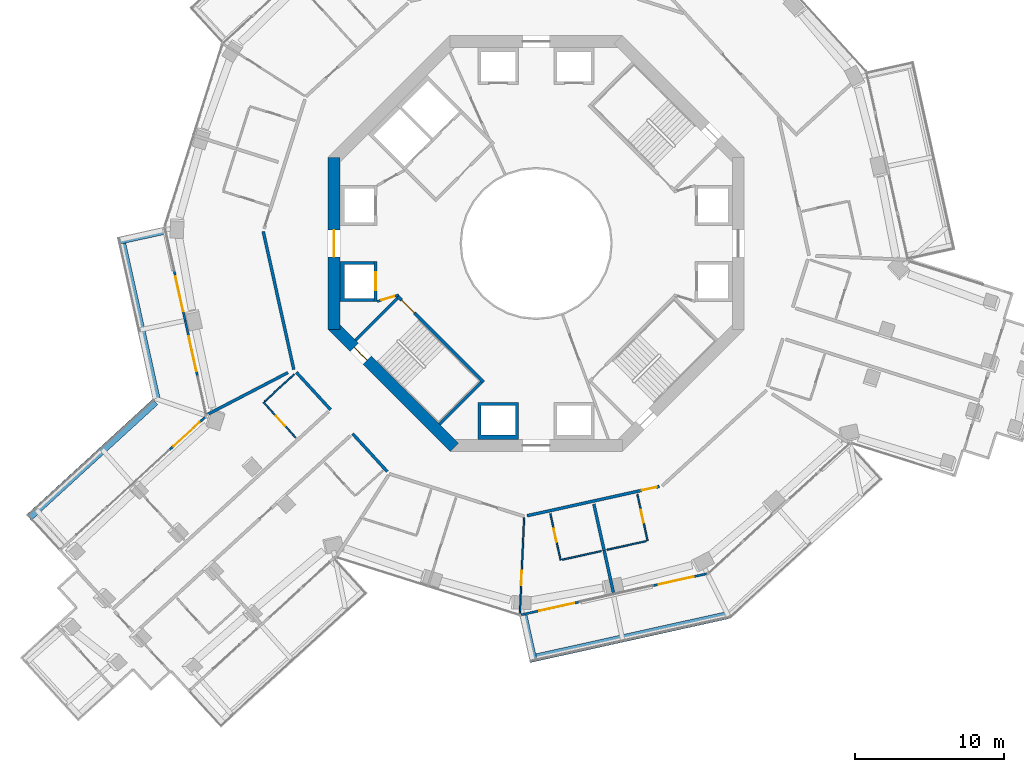
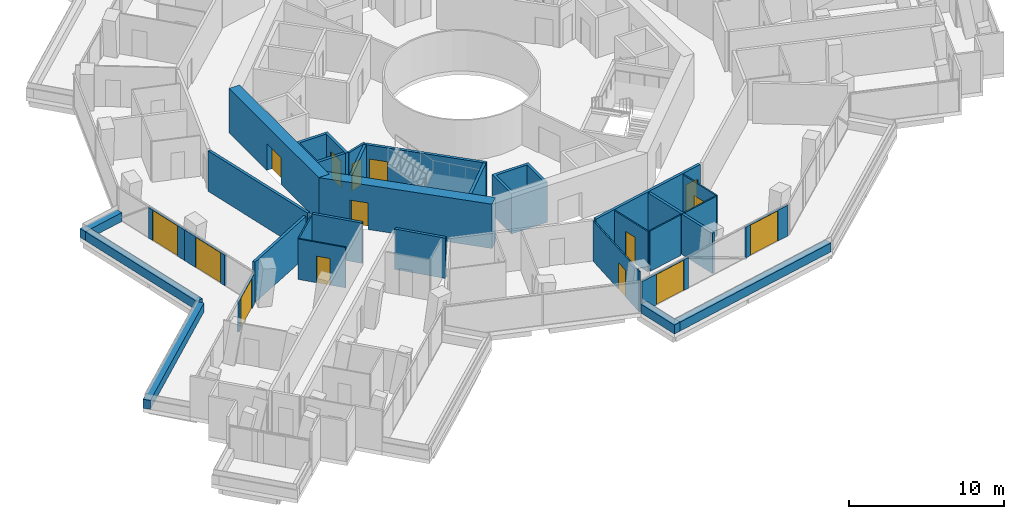
# One storey, part 17 of 24: 33 walls, 15 doors, 15 openings.
"""IFC4 building model written with IfcOpenShell, lengths in metres."""

from ifc_helpers import new_model, si_unit, direction, frame, frame_2d, origin, place, context, subcontext, project, spatial, polyline, rectangle, outline, extrude, material, layer, layer_set, type_object, element, fill, save


model = new_model("IFC4")

# Units and contexts
model_context = context("Model", 3, precision=1e-05, world=origin(), true_north=direction((0.0, 1.0)))
body_context = subcontext(model_context, "Body", "Model", "MODEL_VIEW")
ifc_project = project(units=[si_unit("LENGTHUNIT", "METRE"), si_unit("AREAUNIT", "SQUARE_METRE"), si_unit("VOLUMEUNIT", "CUBIC_METRE"), si_unit("PLANEANGLEUNIT", "RADIAN"), si_unit("MASSUNIT", "GRAM", prefix="KILO")], contexts=[model_context])

# Site, building, storey
site_placement = place(None, origin())
site = spatial("IfcSite", under=ifc_project, at=site_placement, CompositionType="ELEMENT")
building_placement = place(site_placement, origin())
building = spatial("IfcBuilding", under=site, at=building_placement, Name="Verdalira Terraces Hotel", CompositionType="ELEMENT")
storey_placement = place(building_placement, frame((0.0, 0.0, 86.0)))
storey = spatial("IfcBuildingStorey", under=building, at=storey_placement, Name="L19", CompositionType="ELEMENT", Elevation=86.0)

# Walls
ifc_material_1 = material(Name="Concrete C40", Category="concrete")
ifc_layer_1 = layer(ifc_material_1, 0.5)
ifc_layer_set_1 = layer_set([ifc_layer_1], Name="Balcony planter trough with tree")
wall_type_1 = type_object("IfcWallType", Name="Balcony planter trough with tree", PredefinedType="SOLIDWALL", material=ifc_layer_set_1)
wall_1_placement = place(storey_placement, frame((-25.036621, 0.859863, 0.0), z_axis=(0.0, 0.0, 1.0), x_axis=(-0.97638239, -0.216049597, 0.0)))
element("IfcWall", 1, at=wall_1_placement, inside=storey, type_object=wall_type_1, Name="Balcony planter", PredefinedType="SOLIDWALL", context=body_context, shape_type="SweptSolid", body=[
    extrude(rectangle(XDim=3.198975, YDim=0.5, at=frame_2d((1.599609, 0.0))), origin(), (0.0, 0.0, 1.0), 0.699951),
])
wall_2_placement = place(storey_placement, frame((-27.862061, -0.021484, 0.0), z_axis=(0.0, 0.0, 1.0), x_axis=(0.216102871, -0.9763706, 0.0)))
element("IfcWall", 2, at=wall_2_placement, inside=storey, type_object=wall_type_1, Name="Balcony planter", PredefinedType="SOLIDWALL", context=body_context, shape_type="SweptSolid", body=[
    extrude(rectangle(XDim=10.652344, YDim=0.5, at=frame_2d((5.326172, 0.0))), origin(), (0.0, 0.0, 1.0), 0.699951),
])
wall_3_placement = place(storey_placement, frame((-25.635254, -10.660645, 0.0), z_axis=(0.0, 0.0, 1.0), x_axis=(-0.737508785, -0.675337539, 0.0)))
element("IfcWall", 3, at=wall_3_placement, inside=storey, type_object=wall_type_1, Name="Balcony planter", PredefinedType="SOLIDWALL", context=body_context, shape_type="SweptSolid", body=[
    extrude(rectangle(XDim=11.54126, YDim=0.5, at=frame_2d((5.770508, 0.0))), origin(), (0.0, 0.0, 1.0), 0.699951),
])
wall_4_placement = place(storey_placement, frame((-0.859863, -25.036621, 0.0), z_axis=(0.0, 0.0, 1.0), x_axis=(0.216049597, -0.97638239, 0.0)))
element("IfcWall", 4, at=wall_4_placement, inside=storey, type_object=wall_type_1, Name="Balcony planter", PredefinedType="SOLIDWALL", context=body_context, shape_type="SweptSolid", body=[
    extrude(rectangle(XDim=3.198975, YDim=0.5, at=frame_2d((1.599609, 0.0))), origin(), (0.0, 0.0, 1.0), 0.699951),
])
wall_5_placement = place(storey_placement, frame((0.021484, -27.862061, 0.0), z_axis=(0.0, 0.0, 1.0), x_axis=(0.976369604, 0.216107373, 0.0)))
element("IfcWall", 5, at=wall_5_placement, inside=storey, type_object=wall_type_1, Name="Balcony planter", PredefinedType="SOLIDWALL", context=body_context, shape_type="SweptSolid", body=[
    extrude(rectangle(XDim=13.223389, YDim=0.5, at=frame_2d((6.611816, 0.0))), origin(), (0.0, 0.0, 1.0), 0.699951),
])
ifc_material_2 = material(Name="Moisture-resistant gypsum board partition")
ifc_layer_2 = layer(ifc_material_2, 0.10009765625)
ifc_layer_set_2 = layer_set([ifc_layer_2], Name="Bathroom partition 100 mm")
wall_type_2 = type_object("IfcWallType", Name="Bathroom partition 100 mm", PredefinedType="PARTITIONING", material=ifc_layer_set_2)
wall_6_placement = place(storey_placement, frame((-16.283447, -8.809082, 0.0), z_axis=(0.0, 0.0, 1.0), x_axis=(-0.737570623, -0.675270003, 0.0)))
element("IfcWall", 6, at=wall_6_placement, inside=storey, type_object=wall_type_2, Name="Bathroom partition", PredefinedType="PARTITIONING", context=body_context, shape_type="SweptSolid", body=[
    extrude(rectangle(XDim=2.699951, YDim=0.100098, at=frame_2d((1.350098, 0.0))), origin(), (0.0, 0.0, 1.0), 3.189941),
])

# Wall, opening, door
wall_7_placement = place(storey_placement, frame((-18.348389, -10.699951, 0.0), z_axis=(0.0, 0.0, 1.0), x_axis=(0.67529265, -0.737549887, 0.0)))
wall_7 = element("IfcWall", 7, at=wall_7_placement, inside=storey, type_object=wall_type_2, Name="Bathroom partition", PredefinedType="PARTITIONING", context=body_context, shape_type="SweptSolid", body=[
    extrude(rectangle(XDim=3.199951, YDim=0.100098, at=frame_2d((1.600098, 0.0))), origin(), (0.0, 0.0, 1.0), 3.189941),
])
opening_1_placement = place(wall_7_placement, frame((1.25, 0.0, 0.0)))
opening_1 = element("IfcOpeningElement", 8, at=opening_1_placement, cuts=wall_7, Name="Opening L19-115", PredefinedType="OPENING", context=body_context, shape_type="SweptSolid", body=[
    extrude(rectangle(XDim=0.899902, YDim=2.100098, at=frame_2d((0.449951, 1.050049))), frame((0.0, 0.060059, 0.0), z_axis=(0.0, -1.0, 0.0), x_axis=(1.0, 0.0, 0.0)), (0.0, 0.0, 1.0), 0.120117),
])
ifc_material_3 = material(Name="Timber door", Category="wood")
door_type_1 = type_object("IfcDoorType", Name="Bathroom door 900 x 2100", OperationType="NOTDEFINED", PredefinedType="DOOR", material=ifc_material_3)
door_1_placement = place(opening_1_placement, origin())
door_1 = element("IfcDoor", 9, at=door_1_placement, inside=storey, type_object=door_type_1, Name="Bathroom door 1905", OperationType="SINGLE_SWING_LEFT", OverallHeight=2.10009765625, OverallWidth=0.89990234375, PredefinedType="DOOR", context=body_context, shape_type="SweptSolid", body=[
    extrude(rectangle(XDim=0.899902, YDim=2.100098, at=frame_2d((0.449951, 1.050049))), frame((0.0, 0.024902, 0.0), z_axis=(0.0, -1.0, 0.0), x_axis=(1.0, 0.0, 0.0)), (0.0, 0.0, 1.0), 0.050049),
])
fill(opening_1, door_1)

wall_8_placement = place(storey_placement, frame((-0.812988, -18.470459, 0.0), z_axis=(0.0, 0.0, 1.0), x_axis=(-0.043959125, -0.99903333, 0.0)))
wall_8 = element("IfcWall", 10, at=wall_8_placement, inside=storey, type_object=wall_type_2, Name="Bathroom partition", PredefinedType="PARTITIONING", context=body_context, shape_type="SweptSolid", body=[
    extrude(rectangle(XDim=6.47583, YDim=0.100098, at=frame_2d((3.237793, 0.0))), origin(), (0.0, 0.0, 1.0), 3.189941),
])
opening_2_placement = place(wall_8_placement, frame((3.550049, 0.0, 0.0)))
opening_2 = element("IfcOpeningElement", 11, at=opening_2_placement, cuts=wall_8, Name="Opening L19-123", PredefinedType="OPENING", context=body_context, shape_type="SweptSolid", body=[
    extrude(rectangle(XDim=1.0, YDim=2.100098, at=frame_2d((0.5, 1.050049))), frame((0.0, 0.060059, 0.0), z_axis=(0.0, -1.0, 0.0), x_axis=(1.0, 0.0, 0.0)), (0.0, 0.0, 1.0), 0.120117),
])
ifc_material_4 = material(Name="Timber door", Category="wood")
door_type_2 = type_object("IfcDoorType", Name="Suite internal door 1000 x 2100", OperationType="NOTDEFINED", PredefinedType="DOOR", material=ifc_material_4)
door_2_placement = place(opening_2_placement, origin())
door_2 = element("IfcDoor", 12, at=door_2_placement, inside=storey, type_object=door_type_2, Name="Suite internal door 1908", OperationType="SINGLE_SWING_LEFT", OverallHeight=2.10009765625, OverallWidth=1.0, PredefinedType="DOOR", context=body_context, shape_type="SweptSolid", body=[
    extrude(rectangle(XDim=1.0, YDim=2.100098, at=frame_2d((0.5, 1.050049))), frame((0.0, 0.024902, 0.0), z_axis=(0.0, -1.0, 0.0), x_axis=(1.0, 0.0, 0.0)), (0.0, 0.0, 1.0), 0.050049),
])
fill(opening_2, door_2)

wall_9_placement = place(storey_placement, frame((0.95166, -18.182373, 0.0), z_axis=(0.0, 0.0, 1.0), x_axis=(0.216146782, -0.97636088, 0.0)))
wall_9 = element("IfcWall", 13, at=wall_9_placement, inside=storey, type_object=wall_type_2, Name="Bathroom partition", PredefinedType="PARTITIONING", context=body_context, shape_type="SweptSolid", body=[
    extrude(rectangle(XDim=3.199951, YDim=0.100098, at=frame_2d((1.600098, 0.0))), origin(), (0.0, 0.0, 1.0), 3.189941),
])
opening_3_placement = place(wall_9_placement, frame((1.050049, 0.0, 0.0)))
opening_3 = element("IfcOpeningElement", 14, at=opening_3_placement, cuts=wall_9, Name="Opening L19-125", PredefinedType="OPENING", context=body_context, shape_type="SweptSolid", body=[
    extrude(rectangle(XDim=0.899902, YDim=2.100098, at=frame_2d((0.449951, 1.050049))), frame((0.0, 0.060059, 0.0), z_axis=(0.0, -1.0, 0.0), x_axis=(1.0, 0.0, 0.0)), (0.0, 0.0, 1.0), 0.120117),
])
door_3_placement = place(opening_3_placement, origin())
door_3 = element("IfcDoor", 15, at=door_3_placement, inside=storey, type_object=door_type_1, Name="Bathroom door 1908", OperationType="SINGLE_SWING_RIGHT", OverallHeight=2.10009765625, OverallWidth=0.89990234375, PredefinedType="DOOR", context=body_context, shape_type="SweptSolid", body=[
    extrude(rectangle(XDim=0.899902, YDim=2.100098, at=frame_2d((0.449951, 1.050049))), frame((0.0, 0.024902, 0.0), z_axis=(0.0, -1.0, 0.0), x_axis=(1.0, 0.0, 0.0)), (0.0, 0.0, 1.0), 0.050049),
])
fill(opening_3, door_3)

# Walls
for number, where, z_axis, x_axis, name in (
    (16, (1.740723, -21.285156, 0.0), (0.0, 0.0, 1.0), (0.976369683, 0.216107015, 0.0), "Bathroom partition"),
    (17, (7.403809, -20.031738, 0.0), (0.0, 0.0, 1.0), (-0.976369683, -0.216107015, 0.0), "Bathroom partition"),
):
    element("IfcWall", number, at=place(storey_placement, frame(where, z_axis=z_axis, x_axis=x_axis)), inside=storey, type_object=wall_type_2, Name=name, PredefinedType="PARTITIONING", context=body_context, shape_type="SweptSolid", body=[
        extrude(rectangle(XDim=2.699951, YDim=0.100098, at=frame_2d((1.350098, 0.0))), origin(), (0.0, 0.0, 1.0), 3.189941),
    ])

# Wall, opening, door
wall_10_placement = place(storey_placement, frame((7.501465, -20.01001, 0.0), z_axis=(0.0, 0.0, 1.0), x_axis=(-0.216146782, 0.97636088, 0.0)))
wall_10 = element("IfcWall", 18, at=wall_10_placement, inside=storey, type_object=wall_type_2, Name="Bathroom partition", PredefinedType="PARTITIONING", context=body_context, shape_type="SweptSolid", body=[
    extrude(rectangle(XDim=3.199951, YDim=0.100098, at=frame_2d((1.600098, 0.0))), origin(), (0.0, 0.0, 1.0), 3.189941),
])
opening_4_placement = place(wall_10_placement, frame((1.25, 0.0, 0.0)))
opening_4 = element("IfcOpeningElement", 19, at=opening_4_placement, cuts=wall_10, Name="Opening L19-127", PredefinedType="OPENING", context=body_context, shape_type="SweptSolid", body=[
    extrude(rectangle(XDim=0.899902, YDim=2.100098, at=frame_2d((0.449951, 1.050049))), frame((0.0, 0.060059, 0.0), z_axis=(0.0, -1.0, 0.0), x_axis=(1.0, 0.0, 0.0)), (0.0, 0.0, 1.0), 0.120117),
])
door_4_placement = place(opening_4_placement, origin())
door_4 = element("IfcDoor", 20, at=door_4_placement, inside=storey, type_object=door_type_1, Name="Bathroom door 1909", OperationType="SINGLE_SWING_LEFT", OverallHeight=2.10009765625, OverallWidth=0.89990234375, PredefinedType="DOOR", context=body_context, shape_type="SweptSolid", body=[
    extrude(rectangle(XDim=0.899902, YDim=2.100098, at=frame_2d((0.449951, 1.050049))), frame((0.0, 0.024902, 0.0), z_axis=(0.0, -1.0, 0.0), x_axis=(1.0, 0.0, 0.0)), (0.0, 0.0, 1.0), 0.050049),
])
fill(opening_4, door_4)

# Wall
ifc_material_5 = material(Name="Concrete C50", Category="concrete")
ifc_layer_3 = layer(ifc_material_5, 0.199951171875)
ifc_layer_set_3 = layer_set([ifc_layer_3], Name="Core RC wall 200 C50")
wall_type_3 = type_object("IfcWallType", Name="Core RC wall 200 C50", PredefinedType="SOLIDWALL", material=ifc_layer_set_3)
wall_11_placement = place(storey_placement, origin())
element("IfcWall", 21, at=wall_11_placement, inside=storey, type_object=wall_type_3, Name="L19 shaft wall W2", PredefinedType="SOLIDWALL", context=body_context, shape_type="SweptSolid", body=[
    extrude(outline(polyline([(-13.199951, -3.899902), (-13.199951, -1.199951), (-10.899902, -1.199951), (-10.899902, -1.399902), (-12.899902, -1.399902), (-12.899902, -3.699951), (-10.899902, -3.699951), (-10.899902, -3.899902), (-13.199951, -3.899902)])), origin(), (0.0, 0.0, 1.0), 3.189941),
])

# Wall, opening, door
wall_12_placement = place(storey_placement, frame((-10.800049, -1.199951, 0.0), z_axis=(0.0, 0.0, 1.0), x_axis=(0.0, -1.0, 0.0)))
wall_12 = element("IfcWall", 22, at=wall_12_placement, inside=storey, type_object=wall_type_3, Name="L19 shaft front wall W2", PredefinedType="SOLIDWALL", context=body_context, shape_type="SweptSolid", body=[
    extrude(rectangle(XDim=2.699951, YDim=0.199951, at=frame_2d((1.350098, 0.0))), origin(), (0.0, 0.0, 1.0), 3.189941),
])
opening_5_placement = place(wall_12_placement, frame((0.75, 0.0, 0.0)))
opening_5 = element("IfcOpeningElement", 23, at=opening_5_placement, cuts=wall_12, Name="Opening LD-L19-806", PredefinedType="OPENING", context=body_context, shape_type="SweptSolid", body=[
    extrude(rectangle(XDim=1.199951, YDim=2.100098, at=frame_2d((0.600098, 1.050049))), frame((0.0, 0.109863, 0.0), z_axis=(0.0, -1.0, 0.0), x_axis=(1.0, 0.0, 0.0)), (0.0, 0.0, 1.0), 0.219971),
])
ifc_material_6 = material(Name="Stainless steel", Category="steel")
door_type_3 = type_object("IfcDoorType", Name="Landing door 1200 x 2100", OperationType="NOTDEFINED", PredefinedType="DOOR", material=ifc_material_6)
door_5_placement = place(opening_5_placement, origin())
door_5 = element("IfcDoor", 24, at=door_5_placement, inside=storey, type_object=door_type_3, Name="Lift landing door LR6 L19", OperationType="DOUBLE_DOOR_SLIDING", OverallHeight=2.10009765625, OverallWidth=1.199951171875, PredefinedType="DOOR", context=body_context, shape_type="SweptSolid", body=[
    extrude(rectangle(XDim=1.199951, YDim=2.100098, at=frame_2d((0.600098, 1.050049))), frame((0.0, 0.024902, 0.0), z_axis=(0.0, -1.0, 0.0), x_axis=(1.0, 0.0, 0.0)), (0.0, 0.0, 1.0), 0.050049),
])
fill(opening_5, door_5)

# Wall
wall_13_placement = place(storey_placement, origin())
element("IfcWall", 25, at=wall_13_placement, inside=storey, type_object=wall_type_3, Name="L19 shaft wall S1", PredefinedType="SOLIDWALL", context=body_context, shape_type="SweptSolid", body=[
    extrude(outline(polyline([(-1.199951, -13.199951), (-3.899902, -13.199951), (-3.899902, -10.699951), (-1.199951, -10.699951), (-1.199951, -13.199951)]), holes=[polyline([(-3.699951, -10.899902), (-3.699951, -12.899902), (-1.399902, -12.899902), (-1.399902, -10.899902), (-3.699951, -10.899902)])]), origin(), (0.0, 0.0, 1.0), 3.189941),
])

# Wall, opening, door
wall_14_placement = place(storey_placement, frame((-3.5354, -9.33374, 0.0), z_axis=(0.0, 0.0, 1.0), x_axis=(-0.707106781, 0.707106781, 0.0)))
wall_14 = element("IfcWall", 26, at=wall_14_placement, inside=storey, type_object=wall_type_3, Name="L19 stair ST2 front wall", PredefinedType="SOLIDWALL", context=body_context, shape_type="SweptSolid", body=[
    extrude(rectangle(XDim=8.200195, YDim=0.199951, at=frame_2d((4.100098, 0.0))), origin(), (0.0, 0.0, 1.0), 3.189941),
])
opening_6_placement = place(wall_14_placement, frame((6.600098, 0.0, 0.0)))
opening_6 = element("IfcOpeningElement", 27, at=opening_6_placement, cuts=wall_14, Name="Opening L19-810", PredefinedType="OPENING", context=body_context, shape_type="SweptSolid", body=[
    extrude(rectangle(XDim=1.199951, YDim=2.100098, at=frame_2d((0.600098, 1.050049))), frame((0.0, 0.109863, 0.0), z_axis=(0.0, -1.0, 0.0), x_axis=(1.0, 0.0, 0.0)), (0.0, 0.0, 1.0), 0.219971),
])
ifc_material_7 = material(Name="Steel fire door", Category="steel")
door_type_4 = type_object("IfcDoorType", Name="Stair door 1200 x 2100", OperationType="NOTDEFINED", PredefinedType="DOOR", material=ifc_material_7)
door_6_placement = place(opening_6_placement, origin())
door_6 = element("IfcDoor", 28, at=door_6_placement, inside=storey, type_object=door_type_4, Name="Stair door ST2 L19", OperationType="SINGLE_SWING_RIGHT", OverallHeight=2.10009765625, OverallWidth=1.199951171875, PredefinedType="DOOR", context=body_context, shape_type="SweptSolid", body=[
    extrude(rectangle(XDim=1.199951, YDim=2.100098, at=frame_2d((0.600098, 1.050049))), frame((0.0, 0.024902, 0.0), z_axis=(0.0, -1.0, 0.0), x_axis=(1.0, 0.0, 0.0)), (0.0, 0.0, 1.0), 0.050049),
])
fill(opening_6, door_6)

# Walls
for number, where, z_axis, x_axis, name in (
    (29, (-9.33374, -3.677002, 0.0), (0.0, 0.0, 1.0), (-0.707106781, -0.707106781, 0.0), "L19 stair ST2 end wall 1"),
    (30, (-3.677002, -9.33374, 0.0), (0.0, 0.0, 1.0), (-0.707106781, -0.707106781, 0.0), "L19 stair ST2 end wall 2"),
):
    element("IfcWall", number, at=place(storey_placement, frame(where, z_axis=z_axis, x_axis=x_axis)), inside=storey, type_object=wall_type_3, Name=name, PredefinedType="SOLIDWALL", context=body_context, shape_type="SweptSolid", body=[
        extrude(rectangle(XDim=4.0, YDim=0.199951, at=frame_2d((2.0, 0.0))), origin(), (0.0, 0.0, 1.0), 3.189941),
    ])

# Wall, opening, door
ifc_material_8 = material(Name="Gypsum board partition")
ifc_layer_4 = layer(ifc_material_8, 0.14990234375)
ifc_layer_set_4 = layer_set([ifc_layer_4], Name="Core partition 150 mm")
wall_type_4 = type_object("IfcWallType", Name="Core partition 150 mm", PredefinedType="PARTITIONING", material=ifc_layer_set_4)
wall_15_placement = place(storey_placement, frame((-10.699951, -3.899902, 0.0), z_axis=(0.0, 0.0, 1.0), x_axis=(0.957084567, 0.289808785, 0.0)))
wall_15 = element("IfcWall", 31, at=wall_15_placement, inside=storey, type_object=wall_type_4, Name="Room partition L19", PredefinedType="PARTITIONING", context=body_context, shape_type="SweptSolid", body=[
    extrude(rectangle(XDim=1.501221, YDim=0.149902, at=frame_2d((0.750488, 0.0))), origin(), (0.0, 0.0, 1.0), 3.189941),
])
opening_7_placement = place(wall_15_placement, frame((0.300781, 0.0, 0.0)))
opening_7 = element("IfcOpeningElement", 32, at=opening_7_placement, cuts=wall_15, Name="Opening L19-822", PredefinedType="OPENING", context=body_context, shape_type="SweptSolid", body=[
    extrude(rectangle(XDim=0.899902, YDim=2.100098, at=frame_2d((0.449951, 1.050049))), frame((0.0, 0.084961, 0.0), z_axis=(0.0, -1.0, 0.0), x_axis=(1.0, 0.0, 0.0)), (0.0, 0.0, 1.0), 0.169922),
])
ifc_material_9 = material(Name="Steel fire door", Category="steel")
door_type_5 = type_object("IfcDoorType", Name="Core room door 900 x 2100", OperationType="NOTDEFINED", PredefinedType="DOOR", material=ifc_material_9)
door_7_placement = place(opening_7_placement, origin())
door_7 = element("IfcDoor", 33, at=door_7_placement, inside=storey, type_object=door_type_5, Name="Door L19 room4", OperationType="SINGLE_SWING_LEFT", OverallHeight=2.10009765625, OverallWidth=0.89990234375, PredefinedType="DOOR", context=body_context, shape_type="SweptSolid", body=[
    extrude(rectangle(XDim=0.899902, YDim=2.100098, at=frame_2d((0.449951, 1.050049))), frame((0.0, 0.024902, 0.0), z_axis=(0.0, -1.0, 0.0), x_axis=(1.0, 0.0, 0.0)), (0.0, 0.0, 1.0), 0.050049),
])
fill(opening_7, door_7)

ifc_material_10 = material(Name="Concrete C70", Category="concrete")
ifc_layer_5 = layer(ifc_material_10, 0.800048828125)
ifc_layer_set_5 = layer_set([ifc_layer_5], Name="Core wall 800 C70")
wall_type_5 = type_object("IfcWallType", Name="Core wall 800 C70", PredefinedType="SHEAR", material=ifc_layer_set_5)
wall_16_placement = place(storey_placement, frame((-13.600098, 5.799072, 0.0), z_axis=(0.0, 0.0, 1.0), x_axis=(0.0, -1.0, 0.0)))
wall_16 = element("IfcWall", 34, at=wall_16_placement, inside=storey, type_object=wall_type_5, Name="Core wall CW-L19-5", PredefinedType="SHEAR", context=body_context, shape_type="SweptSolid", body=[
    extrude(rectangle(XDim=11.598145, YDim=0.800049, at=frame_2d((5.799072, 0.0))), origin(), (0.0, 0.0, 1.0), 3.5),
])
opening_8_placement = place(wall_16_placement, frame((4.898926, 0.0, 0.0)))
opening_8 = element("IfcOpeningElement", 35, at=opening_8_placement, cuts=wall_16, Name="Opening L19-814", PredefinedType="OPENING", context=body_context, shape_type="SweptSolid", body=[
    extrude(rectangle(XDim=1.800049, YDim=2.100098, at=frame_2d((0.899902, 1.050049))), frame((0.0, 0.409912, 0.0), z_axis=(0.0, -1.0, 0.0), x_axis=(1.0, 0.0, 0.0)), (0.0, 0.0, 1.0), 0.820068),
])
ifc_material_11 = material(Name="Steel fire door", Category="steel")
door_type_6 = type_object("IfcDoorType", Name="Core entry door pair 1800 x 2100", OperationType="NOTDEFINED", PredefinedType="DOOR", material=ifc_material_11)
door_8_placement = place(opening_8_placement, origin())
door_8 = element("IfcDoor", 36, at=door_8_placement, inside=storey, type_object=door_type_6, Name="Core entry door L19 4", OperationType="DOUBLE_DOOR_SINGLE_SWING", OverallHeight=2.10009765625, OverallWidth=1.800048828125, PredefinedType="DOOR", context=body_context, shape_type="SweptSolid", body=[
    extrude(rectangle(XDim=1.800049, YDim=2.100098, at=frame_2d((0.899902, 1.050049))), frame((0.0, 0.024902, 0.0), z_axis=(0.0, -1.0, 0.0), x_axis=(1.0, 0.0, 0.0)), (0.0, 0.0, 1.0), 0.050049),
])
fill(opening_8, door_8)

wall_17_placement = place(storey_placement, frame((-13.717285, -5.516113, 0.0), z_axis=(0.0, 0.0, 1.0), x_axis=(0.707106781, -0.707106781, 0.0)))
wall_17 = element("IfcWall", 37, at=wall_17_placement, inside=storey, type_object=wall_type_5, Name="Core wall CW-L19-6", PredefinedType="SHEAR", context=body_context, shape_type="SweptSolid", body=[
    extrude(rectangle(XDim=11.598145, YDim=0.800049, at=frame_2d((5.799072, 0.0))), origin(), (0.0, 0.0, 1.0), 3.5),
])
opening_9_placement = place(wall_17_placement, frame((2.099121, 0.0, 0.0)))
opening_9 = element("IfcOpeningElement", 38, at=opening_9_placement, cuts=wall_17, Name="Opening L19-817", PredefinedType="OPENING", context=body_context, shape_type="SweptSolid", body=[
    extrude(rectangle(XDim=1.199951, YDim=2.100098, at=frame_2d((0.600098, 1.050049))), frame((0.0, 0.409912, 0.0), z_axis=(0.0, -1.0, 0.0), x_axis=(1.0, 0.0, 0.0)), (0.0, 0.0, 1.0), 0.820068),
])
door_9_placement = place(opening_9_placement, origin())
door_9 = element("IfcDoor", 39, at=door_9_placement, inside=storey, type_object=door_type_4, Name="Stair exit door ST2 L19", OperationType="SINGLE_SWING_LEFT", OverallHeight=2.10009765625, OverallWidth=1.199951171875, PredefinedType="DOOR", context=body_context, shape_type="SweptSolid", body=[
    extrude(rectangle(XDim=1.199951, YDim=2.100098, at=frame_2d((0.600098, 1.050049))), frame((0.0, 0.024902, 0.0), z_axis=(0.0, -1.0, 0.0), x_axis=(1.0, 0.0, 0.0)), (0.0, 0.0, 1.0), 0.050049),
])
fill(opening_9, door_9)

# Walls
ifc_material_12 = material(Name="Fire-rated gypsum board wall")
ifc_layer_6 = layer(ifc_material_12, 0.199951171875)
ifc_layer_set_6 = layer_set([ifc_layer_6], Name="Demising wall 200 mm")
wall_type_6 = type_object("IfcWallType", Name="Demising wall 200 mm", PredefinedType="SOLIDWALL", material=ifc_layer_set_6)
wall_18_placement = place(storey_placement, frame((-16.707275, -8.689697, 0.0), z_axis=(0.0, 0.0, 1.0), x_axis=(-0.887170515, -0.461441739, 0.0)))
element("IfcWall", 40, at=wall_18_placement, inside=storey, type_object=wall_type_6, Name="Demising wall", PredefinedType="SOLIDWALL", context=body_context, shape_type="SweptSolid", body=[
    extrude(rectangle(XDim=6.13208, YDim=0.199951, at=frame_2d((3.065918, 0.0))), origin(), (0.0, 0.0, 1.0), 3.189941),
])
wall_19_placement = place(storey_placement, frame((3.880859, -17.533936, 0.0), z_axis=(0.0, 0.0, 1.0), x_axis=(0.216057954, -0.976380541, 0.0)))
element("IfcWall", 41, at=wall_19_placement, inside=storey, type_object=wall_type_6, Name="Demising wall", PredefinedType="SOLIDWALL", context=body_context, shape_type="SweptSolid", body=[
    extrude(rectangle(XDim=3.200195, YDim=0.199951, at=frame_2d((1.600098, 0.0))), origin(), (0.0, 0.0, 1.0), 3.189941),
])
wall_20_placement = place(storey_placement, frame((4.572266, -20.658447, 0.0), z_axis=(0.0, 0.0, 1.0), x_axis=(0.216080405, -0.976375572, 0.0)))
element("IfcWall", 42, at=wall_20_placement, inside=storey, type_object=wall_type_6, Name="Demising wall", PredefinedType="SOLIDWALL", context=body_context, shape_type="SweptSolid", body=[
    extrude(rectangle(XDim=2.949951, YDim=0.199951, at=frame_2d((1.475098, 0.0))), origin(), (0.0, 0.0, 1.0), 3.189941),
])
ifc_material_13 = material(Name="Fire-rated gypsum board wall")
ifc_layer_7 = layer(ifc_material_13, 0.199951171875)
ifc_layer_set_7 = layer_set([ifc_layer_7], Name="Guest corridor wall 200 mm")
wall_type_7 = type_object("IfcWallType", Name="Guest corridor wall 200 mm", PredefinedType="SOLIDWALL", material=ifc_layer_set_7)
wall_21_placement = place(storey_placement, frame((-18.366943, 0.807861, 0.0), z_axis=(0.0, 0.0, 1.0), x_axis=(0.216096423, -0.976372027, 0.0)))
element("IfcWall", 43, at=wall_21_placement, inside=storey, type_object=wall_type_7, Name="Guest corridor wall", PredefinedType="SOLIDWALL", context=body_context, shape_type="SweptSolid", body=[
    extrude(rectangle(XDim=9.516113, YDim=0.199951, at=frame_2d((4.758057, 0.0))), origin(), (0.0, 0.0, 1.0), 3.189941),
])
wall_22_placement = place(storey_placement, frame((-16.135986, -8.674072, 0.0), z_axis=(0.0, 0.0, 1.0), x_axis=(0.675366857, -0.737481938, 0.0)))
element("IfcWall", 44, at=wall_22_placement, inside=storey, type_object=wall_type_7, Name="Guest corridor wall", PredefinedType="SOLIDWALL", context=body_context, shape_type="SweptSolid", body=[
    extrude(rectangle(XDim=3.399902, YDim=0.199951, at=frame_2d((1.699951, 0.0))), origin(), (0.0, 0.0, 1.0), 3.189941),
])
wall_23_placement = place(storey_placement, frame((-12.354004, -12.803955, 0.0), z_axis=(0.0, 0.0, 1.0), x_axis=(0.675324927, -0.737520334, 0.0)))
element("IfcWall", 45, at=wall_23_placement, inside=storey, type_object=wall_type_7, Name="Guest corridor wall", PredefinedType="SOLIDWALL", context=body_context, shape_type="SweptSolid", body=[
    extrude(rectangle(XDim=3.458252, YDim=0.199951, at=frame_2d((1.729004, 0.0))), origin(), (0.0, 0.0, 1.0), 3.189941),
])

# Wall, opening, door
wall_24_placement = place(storey_placement, frame((8.287598, -16.35376, 0.0), z_axis=(0.0, 0.0, 1.0), x_axis=(-0.976371341, -0.216099524, 0.0)))
wall_24 = element("IfcWall", 46, at=wall_24_placement, inside=storey, type_object=wall_type_7, Name="Guest corridor wall", PredefinedType="SOLIDWALL", context=body_context, shape_type="SweptSolid", body=[
    extrude(rectangle(XDim=9.115967, YDim=0.199951, at=frame_2d((4.558105, 0.0))), origin(), (0.0, 0.0, 1.0), 3.189941),
])
opening_10_placement = place(wall_24_placement, frame((0.199951, 0.0, 0.0)))
opening_10 = element("IfcOpeningElement", 47, at=opening_10_placement, cuts=wall_24, Name="Opening L19-126", PredefinedType="OPENING", context=body_context, shape_type="SweptSolid", body=[
    extrude(rectangle(XDim=1.0, YDim=2.100098, at=frame_2d((0.5, 1.050049))), frame((0.0, 0.109863, 0.0), z_axis=(0.0, -1.0, 0.0), x_axis=(1.0, 0.0, 0.0)), (0.0, 0.0, 1.0), 0.219971),
])
ifc_material_14 = material(Name="Timber fire door", Category="wood")
door_type_7 = type_object("IfcDoorType", Name="Guest entry door 1000 x 2100", OperationType="NOTDEFINED", PredefinedType="DOOR", material=ifc_material_14)
door_10_placement = place(opening_10_placement, origin())
door_10 = element("IfcDoor", 48, at=door_10_placement, inside=storey, type_object=door_type_7, Name="Guest entry door 1909", OperationType="SINGLE_SWING_LEFT", OverallHeight=2.10009765625, OverallWidth=1.0, PredefinedType="DOOR", context=body_context, shape_type="SweptSolid", body=[
    extrude(rectangle(XDim=1.0, YDim=2.100098, at=frame_2d((0.5, 1.050049))), frame((0.0, 0.024902, 0.0), z_axis=(0.0, -1.0, 0.0), x_axis=(1.0, 0.0, 0.0)), (0.0, 0.0, 1.0), 0.050049),
])
fill(opening_10, door_10)

ifc_material_15 = material(Name="Terracotta cladding", Category="masonry")
ifc_layer_8 = layer(ifc_material_15, 0.14990234375)
ifc_layer_set_8 = layer_set([ifc_layer_8], Name="Terracotta door pier 150")
wall_type_8 = type_object("IfcWallType", Name="Terracotta door pier 150", PredefinedType="SOLIDWALL", material=ifc_layer_set_8)
wall_25_placement = place(storey_placement, frame((-24.362793, -1.833008, 0.0), z_axis=(0.0, 0.0, 1.0), x_axis=(0.216097265, -0.976371841, 0.0)))
wall_25 = element("IfcWall", 49, at=wall_25_placement, inside=storey, type_object=wall_type_8, Name="Terracotta door pier", PredefinedType="SOLIDWALL", context=body_context, shape_type="SweptSolid", body=[
    extrude(rectangle(XDim=3.475098, YDim=0.149902, at=frame_2d((1.737549, 0.0))), origin(), (0.0, 0.0, 1.0), 2.425049),
])
opening_11_placement = place(wall_25_placement, frame((0.399902, 0.0, 0.0)))
opening_11 = element("IfcOpeningElement", 50, at=opening_11_placement, cuts=wall_25, Name="Opening L19-B06", PredefinedType="OPENING", context=body_context, shape_type="SweptSolid", body=[
    extrude(rectangle(XDim=2.399902, YDim=2.399902, at=frame_2d((1.199951, 1.199951))), frame((0.0, 0.084961, 0.0), z_axis=(0.0, -1.0, 0.0), x_axis=(1.0, 0.0, 0.0)), (0.0, 0.0, 1.0), 0.169922),
])
ifc_material_16 = material(Name="Clear glass", Category="glass")
door_type_8 = type_object("IfcDoorType", Name="Balcony sliding door 2400x2400", OperationType="NOTDEFINED", PredefinedType="DOOR", material=ifc_material_16)
door_11_placement = place(opening_11_placement, origin())
door_11 = element("IfcDoor", 51, at=door_11_placement, inside=storey, type_object=door_type_8, Name="Balcony sliding door", OperationType="SLIDING_TO_RIGHT", OverallHeight=2.39990234375, OverallWidth=2.39990234375, PredefinedType="DOOR", context=body_context, shape_type="SweptSolid", body=[
    extrude(rectangle(XDim=2.399902, YDim=2.399902, at=frame_2d((1.199951, 1.199951))), frame((0.0, 0.024902, 0.0), z_axis=(0.0, -1.0, 0.0), x_axis=(1.0, 0.0, 0.0)), (0.0, 0.0, 1.0), 0.050049),
])
fill(opening_11, door_11)

wall_26_placement = place(storey_placement, frame((-23.611816, -5.226074, 0.0), z_axis=(0.0, 0.0, 1.0), x_axis=(0.216101395, -0.976370927, 0.0)))
wall_26 = element("IfcWall", 52, at=wall_26_placement, inside=storey, type_object=wall_type_8, Name="Terracotta door pier", PredefinedType="SOLIDWALL", context=body_context, shape_type="SweptSolid", body=[
    extrude(rectangle(XDim=3.835449, YDim=0.149902, at=frame_2d((1.917725, 0.0))), origin(), (0.0, 0.0, 1.0), 2.425049),
])
opening_12_placement = place(wall_26_placement, frame((1.0354, 0.0, 0.0)))
opening_12 = element("IfcOpeningElement", 53, at=opening_12_placement, cuts=wall_26, Name="Opening L19-B07", PredefinedType="OPENING", context=body_context, shape_type="SweptSolid", body=[
    extrude(rectangle(XDim=2.399902, YDim=2.399902, at=frame_2d((1.199951, 1.199951))), frame((0.0, 0.084961, 0.0), z_axis=(0.0, -1.0, 0.0), x_axis=(1.0, 0.0, 0.0)), (0.0, 0.0, 1.0), 0.169922),
])
door_12_placement = place(opening_12_placement, origin())
door_12 = element("IfcDoor", 54, at=door_12_placement, inside=storey, type_object=door_type_8, Name="Balcony sliding door", OperationType="SLIDING_TO_LEFT", OverallHeight=2.39990234375, OverallWidth=2.39990234375, PredefinedType="DOOR", context=body_context, shape_type="SweptSolid", body=[
    extrude(rectangle(XDim=2.399902, YDim=2.399902, at=frame_2d((1.199951, 1.199951))), frame((0.0, 0.024902, 0.0), z_axis=(0.0, -1.0, 0.0), x_axis=(1.0, 0.0, 0.0)), (0.0, 0.0, 1.0), 0.050049),
])
fill(opening_12, door_12)

wall_27_placement = place(storey_placement, frame((-22.281494, -11.691162, 0.0), z_axis=(0.0, 0.0, 1.0), x_axis=(-0.737483286, -0.675365385, 0.0)))
wall_27 = element("IfcWall", 55, at=wall_27_placement, inside=storey, type_object=wall_type_8, Name="Terracotta door pier", PredefinedType="SOLIDWALL", context=body_context, shape_type="SweptSolid", body=[
    extrude(rectangle(XDim=3.293457, YDim=0.149902, at=frame_2d((1.646729, 0.0))), origin(), (0.0, 0.0, 1.0), 2.425049),
])
opening_13_placement = place(wall_27_placement, frame((0.493652, 0.0, 0.0)))
opening_13 = element("IfcOpeningElement", 56, at=opening_13_placement, cuts=wall_27, Name="Opening L19-B08", PredefinedType="OPENING", context=body_context, shape_type="SweptSolid", body=[
    extrude(rectangle(XDim=2.399902, YDim=2.399902, at=frame_2d((1.199951, 1.199951))), frame((0.0, 0.084961, 0.0), z_axis=(0.0, -1.0, 0.0), x_axis=(1.0, 0.0, 0.0)), (0.0, 0.0, 1.0), 0.169922),
])
door_13_placement = place(opening_13_placement, origin())
door_13 = element("IfcDoor", 57, at=door_13_placement, inside=storey, type_object=door_type_8, Name="Balcony sliding door", OperationType="SLIDING_TO_LEFT", OverallHeight=2.39990234375, OverallWidth=2.39990234375, PredefinedType="DOOR", context=body_context, shape_type="SweptSolid", body=[
    extrude(rectangle(XDim=2.399902, YDim=2.399902, at=frame_2d((1.199951, 1.199951))), frame((0.0, 0.024902, 0.0), z_axis=(0.0, -1.0, 0.0), x_axis=(1.0, 0.0, 0.0)), (0.0, 0.0, 1.0), 0.050049),
])
fill(opening_13, door_13)

wall_28_placement = place(storey_placement, frame((-1.022705, -24.994873, 0.0), z_axis=(0.0, 0.0, 1.0), x_axis=(0.976378736, 0.216066108, 0.0)))
wall_28 = element("IfcWall", 58, at=wall_28_placement, inside=storey, type_object=wall_type_8, Name="Terracotta door pier", PredefinedType="SOLIDWALL", context=body_context, shape_type="SweptSolid", body=[
    extrude(rectangle(XDim=4.067871, YDim=0.149902, at=frame_2d((2.033936, 0.0))), origin(), (0.0, 0.0, 1.0), 2.425049),
])
opening_14_placement = place(wall_28_placement, frame((1.267822, 0.0, 0.0)))
opening_14 = element("IfcOpeningElement", 59, at=opening_14_placement, cuts=wall_28, Name="Opening L19-B13", PredefinedType="OPENING", context=body_context, shape_type="SweptSolid", body=[
    extrude(rectangle(XDim=2.399902, YDim=2.399902, at=frame_2d((1.199951, 1.199951))), frame((0.0, 0.084961, 0.0), z_axis=(0.0, -1.0, 0.0), x_axis=(1.0, 0.0, 0.0)), (0.0, 0.0, 1.0), 0.169922),
])
door_14_placement = place(opening_14_placement, origin())
door_14 = element("IfcDoor", 60, at=door_14_placement, inside=storey, type_object=door_type_8, Name="Balcony sliding door", OperationType="SLIDING_TO_LEFT", OverallHeight=2.39990234375, OverallWidth=2.39990234375, PredefinedType="DOOR", context=body_context, shape_type="SweptSolid", body=[
    extrude(rectangle(XDim=2.399902, YDim=2.399902, at=frame_2d((1.199951, 1.199951))), frame((0.0, 0.024902, 0.0), z_axis=(0.0, -1.0, 0.0), x_axis=(1.0, 0.0, 0.0)), (0.0, 0.0, 1.0), 0.050049),
])
fill(opening_14, door_14)

wall_29_placement = place(storey_placement, frame((7.852051, -23.030762, 0.0), z_axis=(0.0, 0.0, 1.0), x_axis=(0.976372496, 0.216094304, 0.0)))
wall_29 = element("IfcWall", 61, at=wall_29_placement, inside=storey, type_object=wall_type_8, Name="Terracotta door pier", PredefinedType="SOLIDWALL", context=body_context, shape_type="SweptSolid", body=[
    extrude(rectangle(XDim=3.710205, YDim=0.149902, at=frame_2d((1.85498, 0.0))), origin(), (0.0, 0.0, 1.0), 2.425049),
])
opening_15_placement = place(wall_29_placement, frame((0.399902, 0.0, 0.0)))
opening_15 = element("IfcOpeningElement", 62, at=opening_15_placement, cuts=wall_29, Name="Opening L19-B14", PredefinedType="OPENING", context=body_context, shape_type="SweptSolid", body=[
    extrude(rectangle(XDim=2.399902, YDim=2.399902, at=frame_2d((1.199951, 1.199951))), frame((0.0, 0.084961, 0.0), z_axis=(0.0, -1.0, 0.0), x_axis=(1.0, 0.0, 0.0)), (0.0, 0.0, 1.0), 0.169922),
])
door_15_placement = place(opening_15_placement, origin())
door_15 = element("IfcDoor", 63, at=door_15_placement, inside=storey, type_object=door_type_8, Name="Balcony sliding door", OperationType="SLIDING_TO_RIGHT", OverallHeight=2.39990234375, OverallWidth=2.39990234375, PredefinedType="DOOR", context=body_context, shape_type="SweptSolid", body=[
    extrude(rectangle(XDim=2.399902, YDim=2.399902, at=frame_2d((1.199951, 1.199951))), frame((0.0, 0.024902, 0.0), z_axis=(0.0, -1.0, 0.0), x_axis=(1.0, 0.0, 0.0)), (0.0, 0.0, 1.0), 0.050049),
])
fill(opening_15, door_15)

save(model, "model.ifc")
